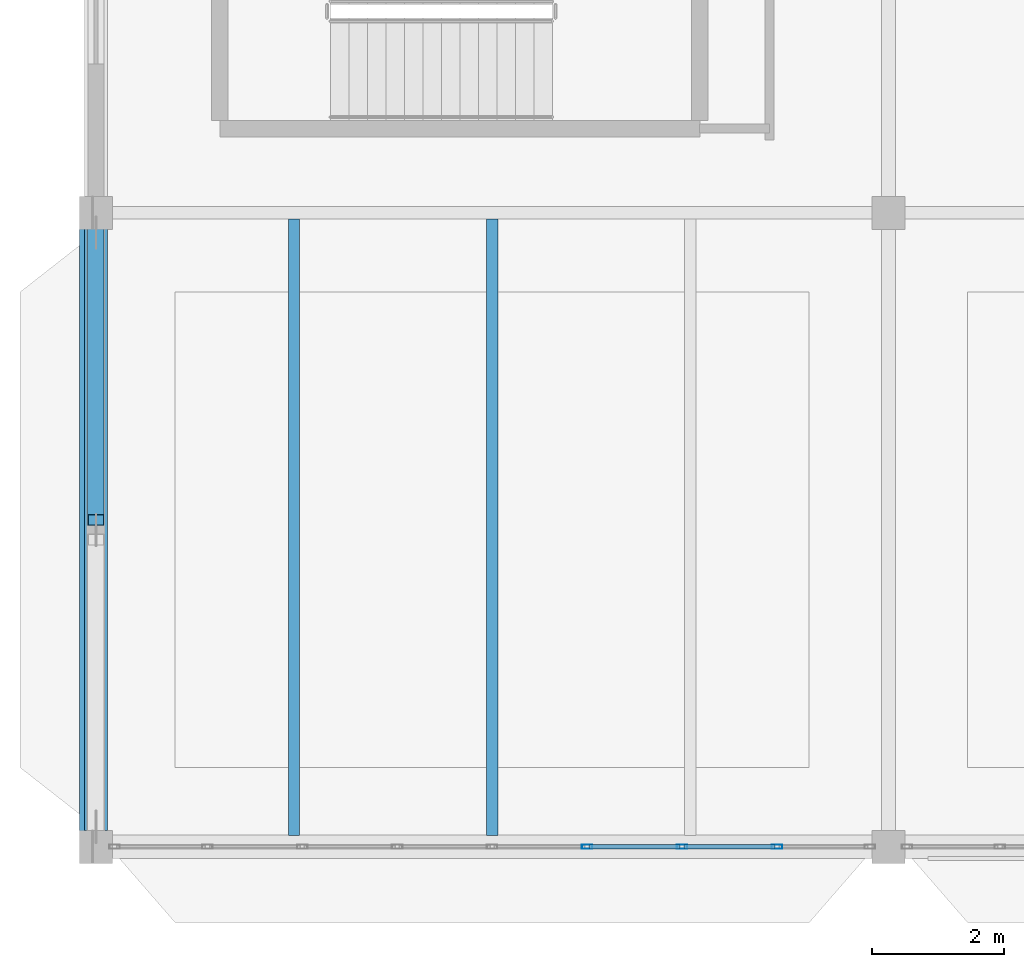
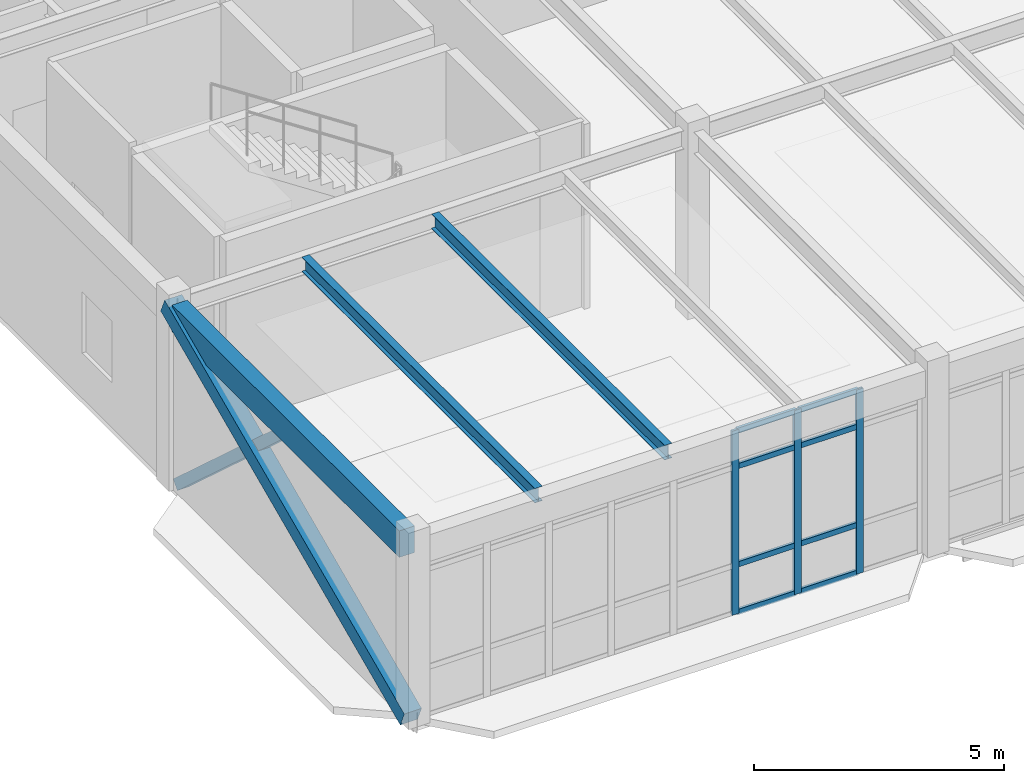
# One storey, part 10 of 236: 13 members, 3 beams, 1 element without a shape of its own.
"""IFC4 building model written with IfcOpenShell, lengths in metres."""

import ifcopenshell
import ifcopenshell.guid

model = None  # the IFC model being written
_history = None  # IfcOwnerHistory: only IFC2X3 demands one
_inside = {}  # id of a spatial element -> (the spatial element, [elements in it])
_under = {}  # id of a project, library or spatial element -> (it, [spatial elements below it])
_declared = {}  # id of a project -> (the project, [libraries it declares])
_typed = {}  # id of a type object -> (the type object, [elements of that type])
_made_of = {}  # id of a material, layer set ... -> (it, [elements and type objects made of it])


def new_model(schema):
    """Start an empty IFC model of exactly this schema.

    Asked for "IFC4X3", IfcOpenShell would pick the latest addendum, in which some entities
    have other attributes; the version numbers below select the first issue.
    IFC2X3 requires an IfcOwnerHistory on every rooted entity: one is made here for all.
    """
    global model, _history
    if schema == "IFC4X3":
        model = ifcopenshell.file(schema_version=(4, 3, 0, 0))
    else:
        model = ifcopenshell.file(schema=schema)
    _inside.clear()
    _under.clear()
    _declared.clear()
    _typed.clear()
    _made_of.clear()
    _history = None
    if model.schema == "IFC2X3":
        org = make("IfcOrganization", Name="unknown")
        user = make(
            "IfcPersonAndOrganization",
            ThePerson=make("IfcPerson", FamilyName="unknown"),
            TheOrganization=org,
        )
        app = make(
            "IfcApplication",
            ApplicationDeveloper=org,
            Version="unknown",
            ApplicationFullName="unknown",
            ApplicationIdentifier="unknown",
        )
        _history = make(
            "IfcOwnerHistory",
            OwningUser=user,
            OwningApplication=app,
            ChangeAction="ADDED",
            CreationDate=0,
        )
    return model


def make(cls, **values):
    """One entity of the class cls with the attributes given. An attribute that is None is left unset."""
    return model.create_entity(
        cls, **{name: value for name, value in values.items() if value is not None}
    )


def rooted(cls, **values):
    """An entity with a GlobalId (a new one), such as an element, a storey or a relation."""
    return make(cls, GlobalId=ifcopenshell.guid.new(), OwnerHistory=_history, **values)


def si_unit(unit_type, name, prefix=None):
    """IfcSIUnit, for example si_unit("LENGTHUNIT", "METRE", prefix="MILLI")."""
    return make("IfcSIUnit", UnitType=unit_type, Prefix=prefix, Name=name)


def assignment(units):
    """IfcUnitAssignment: the units of a project."""
    return None if units is None else make("IfcUnitAssignment", Units=units)


def point(xyz):
    """IfcCartesianPoint."""
    return None if xyz is None else make("IfcCartesianPoint", Coordinates=xyz)


def direction(xyz):
    """IfcDirection."""
    return None if xyz is None else make("IfcDirection", DirectionRatios=xyz)


def frame(location, z_axis=None, x_axis=None):
    """IfcAxis2Placement3D, a coordinate frame: its origin and axes. An axis left out is left unset."""
    return make(
        "IfcAxis2Placement3D",
        Location=point(location),
        Axis=direction(z_axis),
        RefDirection=direction(x_axis),
    )


def frame_2d(location, x_axis=None):
    """IfcAxis2Placement2D, a coordinate frame in the plane: its origin and x axis."""
    return make(
        "IfcAxis2Placement2D", Location=point(location), RefDirection=direction(x_axis)
    )


def origin():
    """The frame at (0, 0, 0) with its axes left unset."""
    return frame((0.0, 0.0, 0.0))


def origin_2d():
    """The frame at (0, 0) in the plane with its x axis left unset."""
    return frame_2d((0.0, 0.0))


def place(relative_to, where):
    """IfcLocalPlacement: puts the frame where relative to a parent placement (None: the world)."""
    return make(
        "IfcLocalPlacement", PlacementRelTo=relative_to, RelativePlacement=where
    )


def context(
    kind, dimensions, precision=None, world=None, true_north=None, identifier=None
):
    """IfcGeometricRepresentationContext, for example the 3D "Model" context."""
    return make(
        "IfcGeometricRepresentationContext",
        ContextIdentifier=identifier,
        ContextType=kind,
        CoordinateSpaceDimension=dimensions,
        Precision=precision,
        WorldCoordinateSystem=world,
        TrueNorth=true_north,
    )


def subcontext(parent, identifier, kind, view, scale=None):
    """IfcGeometricRepresentationSubContext, for example "Body" below "Model"."""
    return make(
        "IfcGeometricRepresentationSubContext",
        ContextIdentifier=identifier,
        ContextType=kind,
        ParentContext=parent,
        TargetScale=scale,
        TargetView=view,
    )


def project(units=None, contexts=None):
    """IfcProject with its units and contexts."""
    return rooted(
        "IfcProject",
        Name="project",
        RepresentationContexts=contexts,
        UnitsInContext=assignment(units),
    )


def spatial(cls, under=None, at=None, **own):
    """A site, building, storey or space (cls), placed at a placement, below another one or the project."""
    s = rooted(cls, ObjectPlacement=at, **own)
    if under is not None:
        _under.setdefault(under.id(), (under, []))[1].append(s)
    return s


def profile(cls, at=None, kind="AREA", **sizes):
    """A parametric profile (cls). Its sizes go by their IFC names, for example OverallWidth=200.0."""
    return make(cls, ProfileType=kind, Position=at, **sizes)


def rectangle(**sizes):
    """IfcRectangleProfileDef."""
    return profile("IfcRectangleProfileDef", **sizes)


def hollow_rectangle(**sizes):
    """IfcRectangleHollowProfileDef."""
    return profile("IfcRectangleHollowProfileDef", **sizes)


def i_section(**sizes):
    """IfcIShapeProfileDef."""
    return profile("IfcIShapeProfileDef", **sizes)


def extrude(swept, where, along, depth):
    """IfcExtrudedAreaSolid: the profile swept, set in the frame where, extruded along a direction by depth."""
    return make(
        "IfcExtrudedAreaSolid",
        SweptArea=swept,
        Position=where,
        ExtrudedDirection=direction(along),
        Depth=depth,
    )


def shape(context_of_items, identifier, shape_type, items):
    """IfcShapeRepresentation: the items that make up one representation, for example the "Body"."""
    return make(
        "IfcShapeRepresentation",
        ContextOfItems=context_of_items,
        RepresentationIdentifier=identifier,
        RepresentationType=shape_type,
        Items=items,
    )


def material(Name=None, Category=None):
    """IfcMaterial."""
    return make("IfcMaterial", Name=Name, Category=Category)


def layer(
    of_material, thickness, ventilated=None, Name=None, Category=None, Priority=None
):
    """IfcMaterialLayer: one layer of a wall or slab, of a material (None: an air gap)."""
    return make(
        "IfcMaterialLayer",
        Material=of_material,
        LayerThickness=thickness,
        IsVentilated=ventilated,
        Name=Name,
        Category=Category,
        Priority=Priority,
    )


def layer_set(layers, Name=None):
    """IfcMaterialLayerSet."""
    return make("IfcMaterialLayerSet", MaterialLayers=layers, LayerSetName=Name)


def material_profile(
    of_material, cross_section, Name=None, Category=None, Priority=None
):
    """IfcMaterialProfile: a cross section and its material."""
    return make(
        "IfcMaterialProfile",
        Name=Name,
        Material=of_material,
        Profile=cross_section,
        Priority=Priority,
        Category=Category,
    )


def profile_set(profiles, Name=None, composite=None):
    """IfcMaterialProfileSet."""
    return make(
        "IfcMaterialProfileSet",
        Name=Name,
        MaterialProfiles=profiles,
        CompositeProfile=composite,
    )


def made_of(thing, what):
    """Note that an element or type object is made of a material, layer set ...; save() writes the relation."""
    if what is not None:
        _made_of.setdefault(what.id(), (what, []))[1].append(thing)
    return thing


def type_object(cls, material=None, **own):
    """A type object (cls), such as IfcWallType, which elements share."""
    return made_of(rooted(cls, **own), material)


def element(
    cls,
    number,
    at=None,
    inside=None,
    cuts=None,
    type_object=None,
    material=None,
    context=None,
    identifier="Body",
    shape_type=None,
    held_by="IfcProductDefinitionShape",
    body=None,
    shapes=None,
    **own,
):
    """One element of the class cls, such as IfcWall. Its Tag is "e" and its number.

    at: its placement. inside: the storey or other place that contains it. cuts: it is an
    opening in that element (IfcRelVoidsElement). A single representation is given by context,
    identifier, shape_type and body (its items); several are given by shapes. held_by: the class
    of the entity that holds the representations. save() writes the other relations.
    """
    e = rooted(cls, Tag="e%d" % number, ObjectPlacement=at, **own)
    if body is not None:
        shapes = [shape(context, identifier, shape_type, body)]
    if shapes is not None:
        e.Representation = make(held_by, Representations=shapes)
    if inside is not None:
        _inside.setdefault(inside.id(), (inside, []))[1].append(e)
    if cuts is not None:
        rooted(
            "IfcRelVoidsElement", RelatingBuildingElement=cuts, RelatedOpeningElement=e
        )
    if type_object is not None:
        _typed.setdefault(type_object.id(), (type_object, []))[1].append(e)
    return made_of(e, material)


def aggregate(whole, parts):
    """IfcRelAggregates: a whole, such as a stair, and the parts it consists of."""
    return rooted("IfcRelAggregates", RelatingObject=whole, RelatedObjects=parts)


def save(model, path):
    """Write the relations noted so far, then the file.

    IfcRelAggregates (storeys below a building ...), IfcRelContainedInSpatialStructure (elements
    in a storey), IfcRelDefinesByType, IfcRelAssociatesMaterial and IfcRelDeclares: one each for
    every whole, place, type object, material and project.
    """
    for whole, parts in _under.values():
        aggregate(whole, parts)
    for where, things in _inside.values():
        rooted(
            "IfcRelContainedInSpatialStructure",
            RelatedElements=things,
            RelatingStructure=where,
        )
    for kind, things in _typed.values():
        rooted("IfcRelDefinesByType", RelatedObjects=things, RelatingType=kind)
    for what, things in _made_of.values():
        rooted("IfcRelAssociatesMaterial", RelatedObjects=things, RelatingMaterial=what)
    for by, libraries in _declared.values():
        rooted("IfcRelDeclares", RelatingContext=by, RelatedDefinitions=libraries)
    model.write(path)


model = new_model("IFC4")

# Units and contexts
model_context = context("Model", 3, precision=1e-05, world=origin(), true_north=direction((0.0, 1.0)))
body_context = subcontext(model_context, "Body", "Model", "MODEL_VIEW")
ifc_project = project(units=[si_unit("LENGTHUNIT", "METRE"), si_unit("AREAUNIT", "SQUARE_METRE"), si_unit("VOLUMEUNIT", "CUBIC_METRE"), si_unit("PLANEANGLEUNIT", "RADIAN"), si_unit("MASSUNIT", "GRAM", prefix="KILO")], contexts=[model_context])

# Site, building, storey
site_placement = place(None, origin())
site = spatial("IfcSite", under=ifc_project, at=site_placement, CompositionType="ELEMENT")
building_placement = place(site_placement, origin())
building = spatial("IfcBuilding", under=site, at=building_placement, Name="Pandanus Reach Market Hall", CompositionType="ELEMENT")
storey_placement = place(building_placement, frame((0.0, 0.0, 5.39990234375)))
storey = spatial("IfcBuildingStorey", under=building, at=storey_placement, Name="L01", CompositionType="ELEMENT", Elevation=5.39990234375)

# Beam
ifc_material_1 = material(Name="Concrete N40 (40 MPa)", Category="concrete")
ifc_material_profile_1 = material_profile(ifc_material_1, rectangle(XDim=0.35009765625, YDim=0.64990234375, at=origin_2d()), Name="RC350x650", Category="LoadBearing")
ifc_profile_set_1 = profile_set([ifc_material_profile_1], Name="Concrete N40 (40 MPa)")
beam_type_1 = type_object("IfcBeamType", Name="BM-RC350-E", PredefinedType="SPANDREL", material=ifc_profile_set_1)
beam_placement = place(storey_placement, frame((0.0, 0.248046875, 4.210205078125), z_axis=(0.0, 1.0, 0.0), x_axis=(-1.0, 0.0, 0.0)))
element("IfcBeam", 1, at=beam_placement, inside=storey, type_object=beam_type_1, Name="Framing beam BM-RC350-E L01.978", PredefinedType="SPANDREL", context=body_context, shape_type="SweptSolid", body=[
    extrude(rectangle(XDim=0.35009765625, YDim=0.64990234375, at=origin_2d()), origin(), (0.0, 0.0, 1.0), 9.10400390625),
])

# Member
ifc_material_2 = material(Name="Steel Grade 350 (350 MPa)", Category="steel")
ifc_material_profile_2 = material_profile(ifc_material_2, hollow_rectangle(XDim=0.25, YDim=0.25, WallThickness=0.010009765625, at=origin_2d()), Name="250x250x10.0SHS", Category="LoadBearing")
ifc_profile_set_2 = profile_set([ifc_material_profile_2], Name="Steel Grade 350 (350 MPa)")
member_type_1 = type_object("IfcMemberType", Name="BR-SHS250-E", PredefinedType="BRACE", material=ifc_profile_set_2)
member_1_placement = place(storey_placement, frame((0.0, 9.31005859375, 0.150146484375), z_axis=(0.0, -0.741105024473, 0.671389114225), x_axis=(1.0, 0.0, 0.0)))
element("IfcMember", 2, at=member_1_placement, inside=storey, type_object=member_type_1, Name="Chevron brace BR-SHS250-E 10B", PredefinedType="BRACE", context=body_context, shape_type="SweptSolid", body=[
    extrude(hollow_rectangle(XDim=0.25, YDim=0.25, WallThickness=0.010009765625, at=origin_2d()), origin(), (0.0, 0.0, 1.0), 5.88330078125),
])

# Curtain wall, members
ifc_material_3 = material(Name="Bronze anodised aluminium and low-E glass", Category="aluminium")
ifc_layer = layer(ifc_material_3, 0.159912109375, Name="CW-15")
ifc_layer_set = layer_set([ifc_layer], Name="Bronze anodised aluminium and low-E glass")
curtain_wall_type = type_object("IfcCurtainWallType", Name="CW-15", PredefinedType="NOTDEFINED", material=ifc_layer_set)
curtain_wall_placement = place(storey_placement, origin())
curtain_wall = element("IfcCurtainWall", 3, at=curtain_wall_placement, inside=storey, type_object=curtain_wall_type, Name="Glazed curtain wall CW-15 CW-0054", PredefinedType="NOTDEFINED")
ifc_material_4 = material(Name="Bronze anodised aluminium", Category="aluminium")
ifc_material_profile_3 = material_profile(ifc_material_4, hollow_rectangle(XDim=0.06494140625, YDim=0.159912109375, WallThickness=0.00390625, at=origin_2d()), Name="ALU65x160", Category="LoadBearing")
ifc_profile_set_3 = profile_set([ifc_material_profile_3], Name="Bronze anodised aluminium")
member_type_2 = type_object("IfcMemberType", Name="CW-M1", PredefinedType="MULLION", material=ifc_profile_set_3)
member_2_placement = place(storey_placement, frame((7.4375, 0.0, 0.0), z_axis=(0.0, 0.0, 1.0), x_axis=(0.0, 1.0, 0.0)))
member_2 = element("IfcMember", 4, at=member_2_placement, type_object=member_type_2, Name="CW-15 mullion 6", PredefinedType="MULLION", context=body_context, shape_type="SweptSolid", body=[
    extrude(hollow_rectangle(XDim=0.06494140625, YDim=0.159912109375, WallThickness=0.00390625, at=origin_2d()), origin(), (0.0, 0.0, 1.0), 4.5),
])
member_3_placement = place(storey_placement, frame((8.875, 0.0, 0.0), z_axis=(0.0, 0.0, 1.0), x_axis=(0.0, 1.0, 0.0)))
member_3 = element("IfcMember", 5, at=member_3_placement, type_object=member_type_2, Name="CW-15 mullion 7", PredefinedType="MULLION", context=body_context, shape_type="SweptSolid", body=[
    extrude(hollow_rectangle(XDim=0.06494140625, YDim=0.159912109375, WallThickness=0.00390625, at=origin_2d()), origin(), (0.0, 0.0, 1.0), 4.5),
])
member_4_placement = place(storey_placement, frame((10.3125, 0.0, 0.0), z_axis=(0.0, 0.0, 1.0), x_axis=(0.0, 1.0, 0.0)))
member_4 = element("IfcMember", 6, at=member_4_placement, type_object=member_type_2, Name="CW-15 mullion 8", PredefinedType="MULLION", context=body_context, shape_type="SweptSolid", body=[
    extrude(hollow_rectangle(XDim=0.06494140625, YDim=0.159912109375, WallThickness=0.00390625, at=origin_2d()), origin(), (0.0, 0.0, 1.0), 4.5),
])
ifc_material_profile_4 = material_profile(ifc_material_4, hollow_rectangle(XDim=0.06494140625, YDim=0.1298828125, WallThickness=0.00390625, at=origin_2d()), Name="ALU65x130", Category="LoadBearing")
ifc_profile_set_4 = profile_set([ifc_material_profile_4], Name="Bronze anodised aluminium")
member_type_3 = type_object("IfcMemberType", Name="CW-T1", PredefinedType="USERDEFINED", material=ifc_profile_set_4)
member_5_placement = place(storey_placement, frame((7.469970703125, 0.0, 0.03271484375), z_axis=(1.0, 0.0, 0.0), x_axis=(0.0, 1.0, 0.0)))
member_5 = element("IfcMember", 7, at=member_5_placement, type_object=member_type_3, Name="CW-15 transom 6.1", ObjectType="TRANSOM", PredefinedType="USERDEFINED", context=body_context, shape_type="SweptSolid", body=[
    extrude(hollow_rectangle(XDim=0.06494140625, YDim=0.1298828125, WallThickness=0.00390625, at=origin_2d()), origin(), (0.0, 0.0, 1.0), 1.37255859375),
])
member_6_placement = place(storey_placement, frame((7.469970703125, 0.0, 1.2001953125), z_axis=(1.0, 0.0, 0.0), x_axis=(0.0, 1.0, 0.0)))
member_6 = element("IfcMember", 8, at=member_6_placement, type_object=member_type_3, Name="CW-15 transom 6.2", ObjectType="TRANSOM", PredefinedType="USERDEFINED", context=body_context, shape_type="SweptSolid", body=[
    extrude(hollow_rectangle(XDim=0.06494140625, YDim=0.1298828125, WallThickness=0.00390625, at=origin_2d()), origin(), (0.0, 0.0, 1.0), 1.37255859375),
])
member_7_placement = place(storey_placement, frame((7.469970703125, 0.0, 3.60009765625), z_axis=(1.0, 0.0, 0.0), x_axis=(0.0, 1.0, 0.0)))
member_7 = element("IfcMember", 9, at=member_7_placement, type_object=member_type_3, Name="CW-15 transom 6.3", ObjectType="TRANSOM", PredefinedType="USERDEFINED", context=body_context, shape_type="SweptSolid", body=[
    extrude(hollow_rectangle(XDim=0.06494140625, YDim=0.1298828125, WallThickness=0.00390625, at=origin_2d()), origin(), (0.0, 0.0, 1.0), 1.37255859375),
])
member_8_placement = place(storey_placement, frame((7.469970703125, 0.0, 4.467529296875), z_axis=(1.0, 0.0, 0.0), x_axis=(0.0, 1.0, 0.0)))
member_8 = element("IfcMember", 10, at=member_8_placement, type_object=member_type_3, Name="CW-15 transom 6.4", ObjectType="TRANSOM", PredefinedType="USERDEFINED", context=body_context, shape_type="SweptSolid", body=[
    extrude(hollow_rectangle(XDim=0.06494140625, YDim=0.1298828125, WallThickness=0.00390625, at=origin_2d()), origin(), (0.0, 0.0, 1.0), 1.37255859375),
])
member_9_placement = place(storey_placement, frame((8.907470703125, 0.0, 0.03271484375), z_axis=(1.0, 0.0, 0.0), x_axis=(0.0, 1.0, 0.0)))
member_9 = element("IfcMember", 11, at=member_9_placement, type_object=member_type_3, Name="CW-15 transom 7.1", ObjectType="TRANSOM", PredefinedType="USERDEFINED", context=body_context, shape_type="SweptSolid", body=[
    extrude(hollow_rectangle(XDim=0.06494140625, YDim=0.1298828125, WallThickness=0.00390625, at=origin_2d()), origin(), (0.0, 0.0, 1.0), 1.37255859375),
])
member_10_placement = place(storey_placement, frame((8.907470703125, 0.0, 1.2001953125), z_axis=(1.0, 0.0, 0.0), x_axis=(0.0, 1.0, 0.0)))
member_10 = element("IfcMember", 12, at=member_10_placement, type_object=member_type_3, Name="CW-15 transom 7.2", ObjectType="TRANSOM", PredefinedType="USERDEFINED", context=body_context, shape_type="SweptSolid", body=[
    extrude(hollow_rectangle(XDim=0.06494140625, YDim=0.1298828125, WallThickness=0.00390625, at=origin_2d()), origin(), (0.0, 0.0, 1.0), 1.37255859375),
])
member_11_placement = place(storey_placement, frame((8.907470703125, 0.0, 3.60009765625), z_axis=(1.0, 0.0, 0.0), x_axis=(0.0, 1.0, 0.0)))
member_11 = element("IfcMember", 13, at=member_11_placement, type_object=member_type_3, Name="CW-15 transom 7.3", ObjectType="TRANSOM", PredefinedType="USERDEFINED", context=body_context, shape_type="SweptSolid", body=[
    extrude(hollow_rectangle(XDim=0.06494140625, YDim=0.1298828125, WallThickness=0.00390625, at=origin_2d()), origin(), (0.0, 0.0, 1.0), 1.37255859375),
])
member_12_placement = place(storey_placement, frame((8.907470703125, 0.0, 4.467529296875), z_axis=(1.0, 0.0, 0.0), x_axis=(0.0, 1.0, 0.0)))
member_12 = element("IfcMember", 14, at=member_12_placement, type_object=member_type_3, Name="CW-15 transom 7.4", ObjectType="TRANSOM", PredefinedType="USERDEFINED", context=body_context, shape_type="SweptSolid", body=[
    extrude(hollow_rectangle(XDim=0.06494140625, YDim=0.1298828125, WallThickness=0.00390625, at=origin_2d()), origin(), (0.0, 0.0, 1.0), 1.37255859375),
])
aggregate(curtain_wall, [member_2, member_3, member_4, member_5, member_6, member_7, member_8, member_9, member_10, member_11, member_12])

# Beams
ifc_material_profile_5 = material_profile(ifc_material_2, i_section(OverallWidth=0.1708984375, OverallDepth=0.35595703125, WebThickness=0.00732421875, FlangeThickness=0.011474609375, at=origin_2d()), Name="360UB50.7", Category="LoadBearing")
ifc_profile_set_5 = profile_set([ifc_material_profile_5], Name="Steel Grade 350 (350 MPa)")
beam_type_2 = type_object("IfcBeamType", Name="JS-UB360-I", PredefinedType="JOIST", material=ifc_profile_set_5)
for number, where, z_axis, x_axis, name in (
    (15, (3.0, 0.173095703125, 4.356689453125), (0.0, 1.0, 0.0), (-1.0, 0.0, 0.0), "Secondary joist JS-UB360-I L01.990"),
    (16, (6.0, 0.173095703125, 4.356689453125), (0.0, 1.0, 0.0), (-1.0, 0.0, 0.0), "Secondary joist JS-UB360-I L01.991"),
):
    element("IfcBeam", number, at=place(storey_placement, frame(where, z_axis=z_axis, x_axis=x_axis)), inside=storey, type_object=beam_type_2, Name=name, PredefinedType="JOIST", context=body_context, shape_type="SweptSolid", body=[
        extrude(i_section(OverallWidth=0.1708984375, OverallDepth=0.35595703125, WebThickness=0.00732421875, FlangeThickness=0.011474609375, at=origin_2d()), origin(), (0.0, 0.0, 1.0), 9.333984375),
    ])

# Member
ifc_material_5 = material(Name="Concrete N50 (50 MPa)", Category="concrete")
ifc_material_profile_6 = material_profile(ifc_material_5, rectangle(XDim=0.39990234375, YDim=0.39990234375, at=origin_2d()), Name="RC400x400", Category="LoadBearing")
ifc_profile_set_6 = profile_set([ifc_material_profile_6], Name="Concrete N50 (50 MPa)")
member_type_4 = type_object("IfcMemberType", Name="VS-RC400-E", PredefinedType="STRUT", material=ifc_profile_set_6)
member_13_placement = place(storey_placement, frame((-0.050048828125, 0.0, 0.10009765625), z_axis=(0.0, 0.912631465218, 0.40878332732), x_axis=(-1.0, 0.0, 0.0)))
element("IfcMember", 17, at=member_13_placement, inside=storey, type_object=member_type_4, Name="Sculpted concrete diagrid rib 13", PredefinedType="STRUT", context=body_context, shape_type="SweptSolid", body=[
    extrude(rectangle(XDim=0.39990234375, YDim=0.39990234375, at=origin_2d()), origin(), (0.0, 0.0, 1.0), 10.51904296875),
])

save(model, "model.ifc")
